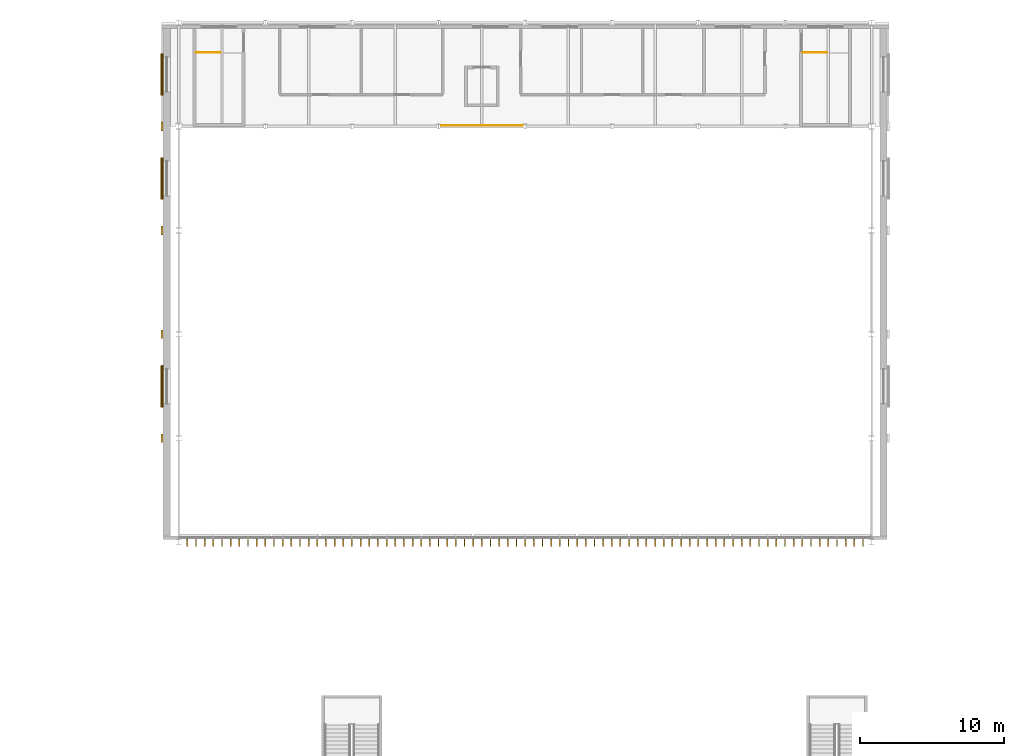
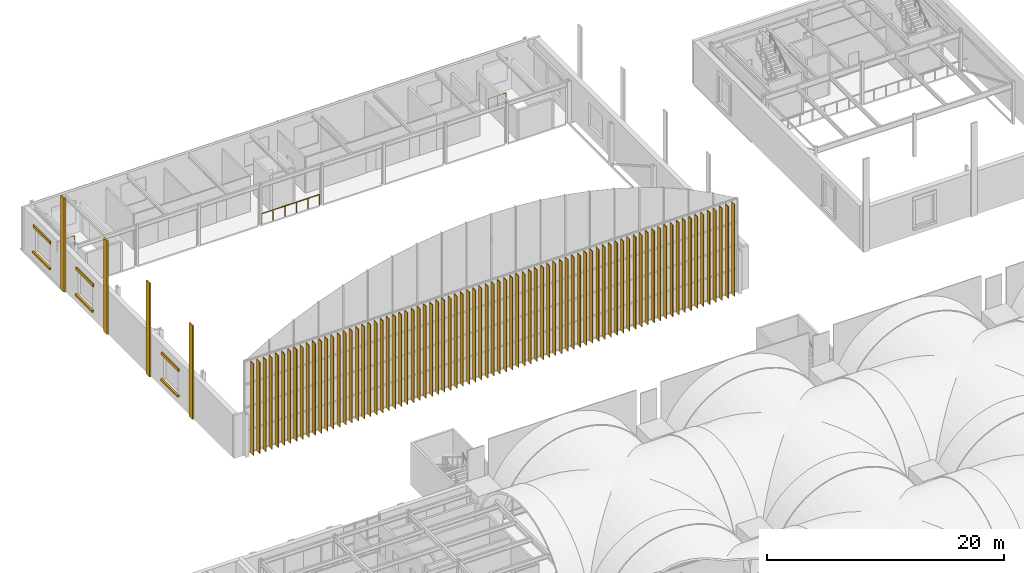
# One storey, part 161 of 169: 79 shading devices, 10 coverings, 3 railings.
"""IFC4 building model written with IfcOpenShell, lengths in metres."""

from ifc_helpers import new_model, si_unit, direction, frame, origin, origin_2d, place, context, subcontext, project, spatial, polyline, rectangle, circle, outline, extrude, material, layer, layer_set, type_object, element, save


model = new_model("IFC4")

# Units and contexts
model_context = context("Model", 3, precision=1e-05, world=origin(), true_north=direction((0.0, 1.0)))
body_context = subcontext(model_context, "Body", "Model", "MODEL_VIEW")
ifc_project = project(units=[si_unit("LENGTHUNIT", "METRE"), si_unit("AREAUNIT", "SQUARE_METRE"), si_unit("VOLUMEUNIT", "CUBIC_METRE"), si_unit("PLANEANGLEUNIT", "RADIAN"), si_unit("MASSUNIT", "GRAM", prefix="KILO")], contexts=[model_context])

# Site, building, storey
site_placement = place(None, origin())
site = spatial("IfcSite", under=ifc_project, at=site_placement, CompositionType="ELEMENT")
building_placement = place(site_placement, origin())
building = spatial("IfcBuilding", under=site, at=building_placement, Name="Verrick Yard Athletic Hall", CompositionType="ELEMENT")
storey_placement = place(building_placement, frame((0.0, 0.0, 4.39990234375)))
storey = spatial("IfcBuildingStorey", under=building, at=storey_placement, Name="L01", CompositionType="ELEMENT", Elevation=4.39990234375)

# Railing
ifc_material_1 = material(Name="Stainless steel 316", Category="steel")
railing_type_1 = type_object("IfcRailingType", Name="HB seating guard 1100", PredefinedType="GUARDRAIL", material=ifc_material_1)
railing_placement = place(storey_placement, frame((46.199951171875, 100.860107421875, 0.0)))
element("IfcRailing", 1, at=railing_placement, inside=storey, type_object=railing_type_1, Name="HB-GD-B-LOBBY", PredefinedType="GUARDRAIL", context=body_context, shape_type="SweptSolid", body=[
    extrude(circle(Radius=0.02392578125, at=origin_2d()), frame((0.0, 0.0, 1.076171875), z_axis=(1.0, 0.0, 0.0), x_axis=(0.0, 1.0, 0.0)), (0.0, 0.0, 1.0), 5.60009765625),
    extrude(circle(Radius=0.02099609375, at=origin_2d()), origin(), (0.0, 0.0, 1.0), 1.052001953125),
    extrude(circle(Radius=0.02099609375, at=origin_2d()), frame((1.1201171875, 0.0, 0.0)), (0.0, 0.0, 1.0), 1.052001953125),
    extrude(circle(Radius=0.02099609375, at=origin_2d()), frame((2.239990234375, 0.0, 0.0)), (0.0, 0.0, 1.0), 1.052001953125),
    extrude(circle(Radius=0.02099609375, at=origin_2d()), frame((3.360107421875, 0.0, 0.0)), (0.0, 0.0, 1.0), 1.052001953125),
    extrude(circle(Radius=0.02099609375, at=origin_2d()), frame((4.47998046875, 0.0, 0.0)), (0.0, 0.0, 1.0), 1.052001953125),
    extrude(circle(Radius=0.02099609375, at=origin_2d()), frame((5.60009765625, 0.0, 0.0)), (0.0, 0.0, 1.0), 1.052001953125),
])

# Shading devices
ifc_material_2 = material(Name="Anodised aluminium", Category="aluminium")
ifc_layer_1 = layer(ifc_material_2, 0.0625)
ifc_layer_set_1 = layer_set([ifc_layer_1], Name="Hall facade fin")
shading_device_type = type_object("IfcShadingDeviceType", Name="Hall facade fin", PredefinedType="USERDEFINED", material=ifc_layer_set_1)
for number, where, z_axis, x_axis, name in (
    (2, (28.60009765625, 71.71826171875, 0.0), (0.0, 0.0, 1.0), (0.0, 1.0, 0.0), "ENVB-HBS-FIN00"),
    (3, (29.199951171875, 71.71826171875, 0.0), (0.0, 0.0, 1.0), (0.0, 1.0, 0.0), "ENVB-HBS-FIN01"),
    (4, (29.800048828125, 71.71826171875, 0.0), (0.0, 0.0, 1.0), (0.0, 1.0, 0.0), "ENVB-HBS-FIN02"),
    (5, (30.39990234375, 71.71826171875, 0.0), (0.0, 0.0, 1.0), (0.0, 1.0, 0.0), "ENVB-HBS-FIN03"),
    (6, (31.0, 71.71826171875, 0.0), (0.0, 0.0, 1.0), (0.0, 1.0, 0.0), "ENVB-HBS-FIN04"),
    (7, (31.60009765625, 71.71826171875, 0.0), (0.0, 0.0, 1.0), (0.0, 1.0, 0.0), "ENVB-HBS-FIN05"),
    (8, (32.199951171875, 71.71826171875, 0.0), (0.0, 0.0, 1.0), (0.0, 1.0, 0.0), "ENVB-HBS-FIN06"),
    (9, (32.800048828125, 71.71826171875, 0.0), (0.0, 0.0, 1.0), (0.0, 1.0, 0.0), "ENVB-HBS-FIN07"),
    (10, (33.39990234375, 71.71826171875, 0.0), (0.0, 0.0, 1.0), (0.0, 1.0, 0.0), "ENVB-HBS-FIN08"),
    (11, (34.0, 71.71826171875, 0.0), (0.0, 0.0, 1.0), (0.0, 1.0, 0.0), "ENVB-HBS-FIN09"),
    (12, (34.60009765625, 71.71826171875, 0.0), (0.0, 0.0, 1.0), (0.0, 1.0, 0.0), "ENVB-HBS-FIN10"),
    (13, (35.199951171875, 71.71826171875, 0.0), (0.0, 0.0, 1.0), (0.0, 1.0, 0.0), "ENVB-HBS-FIN11"),
    (14, (35.800048828125, 71.71826171875, 0.0), (0.0, 0.0, 1.0), (0.0, 1.0, 0.0), "ENVB-HBS-FIN12"),
    (15, (36.39990234375, 71.71826171875, 0.0), (0.0, 0.0, 1.0), (0.0, 1.0, 0.0), "ENVB-HBS-FIN13"),
    (16, (37.0, 71.71826171875, 0.0), (0.0, 0.0, 1.0), (0.0, 1.0, 0.0), "ENVB-HBS-FIN14"),
    (17, (37.60009765625, 71.71826171875, 0.0), (0.0, 0.0, 1.0), (0.0, 1.0, 0.0), "ENVB-HBS-FIN15"),
    (18, (38.199951171875, 71.71826171875, 0.0), (0.0, 0.0, 1.0), (0.0, 1.0, 0.0), "ENVB-HBS-FIN16"),
    (19, (38.800048828125, 71.71826171875, 0.0), (0.0, 0.0, 1.0), (0.0, 1.0, 0.0), "ENVB-HBS-FIN17"),
    (20, (39.39990234375, 71.71826171875, 0.0), (0.0, 0.0, 1.0), (0.0, 1.0, 0.0), "ENVB-HBS-FIN18"),
    (21, (40.0, 71.71826171875, 0.0), (0.0, 0.0, 1.0), (0.0, 1.0, 0.0), "ENVB-HBS-FIN19"),
    (22, (40.60009765625, 71.71826171875, 0.0), (0.0, 0.0, 1.0), (0.0, 1.0, 0.0), "ENVB-HBS-FIN20"),
    (23, (41.199951171875, 71.71826171875, 0.0), (0.0, 0.0, 1.0), (0.0, 1.0, 0.0), "ENVB-HBS-FIN21"),
    (24, (41.800048828125, 71.71826171875, 0.0), (0.0, 0.0, 1.0), (0.0, 1.0, 0.0), "ENVB-HBS-FIN22"),
    (25, (42.39990234375, 71.71826171875, 0.0), (0.0, 0.0, 1.0), (0.0, 1.0, 0.0), "ENVB-HBS-FIN23"),
    (26, (43.0, 71.71826171875, 0.0), (0.0, 0.0, 1.0), (0.0, 1.0, 0.0), "ENVB-HBS-FIN24"),
    (27, (43.60009765625, 71.71826171875, 0.0), (0.0, 0.0, 1.0), (0.0, 1.0, 0.0), "ENVB-HBS-FIN25"),
    (28, (44.199951171875, 71.71826171875, 0.0), (0.0, 0.0, 1.0), (0.0, 1.0, 0.0), "ENVB-HBS-FIN26"),
    (29, (44.800048828125, 71.71826171875, 0.0), (0.0, 0.0, 1.0), (0.0, 1.0, 0.0), "ENVB-HBS-FIN27"),
    (30, (45.39990234375, 71.71826171875, 0.0), (0.0, 0.0, 1.0), (0.0, 1.0, 0.0), "ENVB-HBS-FIN28"),
    (31, (46.0, 71.71826171875, 0.0), (0.0, 0.0, 1.0), (0.0, 1.0, 0.0), "ENVB-HBS-FIN29"),
    (32, (46.60009765625, 71.71826171875, 0.0), (0.0, 0.0, 1.0), (0.0, 1.0, 0.0), "ENVB-HBS-FIN30"),
    (33, (47.199951171875, 71.71826171875, 0.0), (0.0, 0.0, 1.0), (0.0, 1.0, 0.0), "ENVB-HBS-FIN31"),
    (34, (47.800048828125, 71.71826171875, 0.0), (0.0, 0.0, 1.0), (0.0, 1.0, 0.0), "ENVB-HBS-FIN32"),
    (35, (48.39990234375, 71.71826171875, 0.0), (0.0, 0.0, 1.0), (0.0, 1.0, 0.0), "ENVB-HBS-FIN33"),
    (36, (49.0, 71.71826171875, 0.0), (0.0, 0.0, 1.0), (0.0, 1.0, 0.0), "ENVB-HBS-FIN34"),
    (37, (49.60009765625, 71.71826171875, 0.0), (0.0, 0.0, 1.0), (0.0, 1.0, 0.0), "ENVB-HBS-FIN35"),
    (38, (50.199951171875, 71.71826171875, 0.0), (0.0, 0.0, 1.0), (0.0, 1.0, 0.0), "ENVB-HBS-FIN36"),
    (39, (50.800048828125, 71.71826171875, 0.0), (0.0, 0.0, 1.0), (0.0, 1.0, 0.0), "ENVB-HBS-FIN37"),
    (40, (51.39990234375, 71.71826171875, 0.0), (0.0, 0.0, 1.0), (0.0, 1.0, 0.0), "ENVB-HBS-FIN38"),
    (41, (52.0, 71.71826171875, 0.0), (0.0, 0.0, 1.0), (0.0, 1.0, 0.0), "ENVB-HBS-FIN39"),
    (42, (52.60009765625, 71.71826171875, 0.0), (0.0, 0.0, 1.0), (0.0, 1.0, 0.0), "ENVB-HBS-FIN40"),
    (43, (53.199951171875, 71.71826171875, 0.0), (0.0, 0.0, 1.0), (0.0, 1.0, 0.0), "ENVB-HBS-FIN41"),
    (44, (53.800048828125, 71.71826171875, 0.0), (0.0, 0.0, 1.0), (0.0, 1.0, 0.0), "ENVB-HBS-FIN42"),
    (45, (54.39990234375, 71.71826171875, 0.0), (0.0, 0.0, 1.0), (0.0, 1.0, 0.0), "ENVB-HBS-FIN43"),
    (46, (55.0, 71.71826171875, 0.0), (0.0, 0.0, 1.0), (0.0, 1.0, 0.0), "ENVB-HBS-FIN44"),
    (47, (55.60009765625, 71.71826171875, 0.0), (0.0, 0.0, 1.0), (0.0, 1.0, 0.0), "ENVB-HBS-FIN45"),
    (48, (56.199951171875, 71.71826171875, 0.0), (0.0, 0.0, 1.0), (0.0, 1.0, 0.0), "ENVB-HBS-FIN46"),
    (49, (56.800048828125, 71.71826171875, 0.0), (0.0, 0.0, 1.0), (0.0, 1.0, 0.0), "ENVB-HBS-FIN47"),
    (50, (57.39990234375, 71.71826171875, 0.0), (0.0, 0.0, 1.0), (0.0, 1.0, 0.0), "ENVB-HBS-FIN48"),
    (51, (58.0, 71.71826171875, 0.0), (0.0, 0.0, 1.0), (0.0, 1.0, 0.0), "ENVB-HBS-FIN49"),
    (52, (58.60009765625, 71.71826171875, 0.0), (0.0, 0.0, 1.0), (0.0, 1.0, 0.0), "ENVB-HBS-FIN50"),
    (53, (59.199951171875, 71.71826171875, 0.0), (0.0, 0.0, 1.0), (0.0, 1.0, 0.0), "ENVB-HBS-FIN51"),
    (54, (59.800048828125, 71.71826171875, 0.0), (0.0, 0.0, 1.0), (0.0, 1.0, 0.0), "ENVB-HBS-FIN52"),
    (55, (60.39990234375, 71.71826171875, 0.0), (0.0, 0.0, 1.0), (0.0, 1.0, 0.0), "ENVB-HBS-FIN53"),
    (56, (61.0, 71.71826171875, 0.0), (0.0, 0.0, 1.0), (0.0, 1.0, 0.0), "ENVB-HBS-FIN54"),
    (57, (61.60009765625, 71.71826171875, 0.0), (0.0, 0.0, 1.0), (0.0, 1.0, 0.0), "ENVB-HBS-FIN55"),
    (58, (62.199951171875, 71.71826171875, 0.0), (0.0, 0.0, 1.0), (0.0, 1.0, 0.0), "ENVB-HBS-FIN56"),
    (59, (62.800048828125, 71.71826171875, 0.0), (0.0, 0.0, 1.0), (0.0, 1.0, 0.0), "ENVB-HBS-FIN57"),
    (60, (63.39990234375, 71.71826171875, 0.0), (0.0, 0.0, 1.0), (0.0, 1.0, 0.0), "ENVB-HBS-FIN58"),
    (61, (64.0, 71.71826171875, 0.0), (0.0, 0.0, 1.0), (0.0, 1.0, 0.0), "ENVB-HBS-FIN59"),
    (62, (64.60009765625, 71.71826171875, 0.0), (0.0, 0.0, 1.0), (0.0, 1.0, 0.0), "ENVB-HBS-FIN60"),
    (63, (65.199951171875, 71.71826171875, 0.0), (0.0, 0.0, 1.0), (0.0, 1.0, 0.0), "ENVB-HBS-FIN61"),
    (64, (65.800048828125, 71.71826171875, 0.0), (0.0, 0.0, 1.0), (0.0, 1.0, 0.0), "ENVB-HBS-FIN62"),
    (65, (66.39990234375, 71.71826171875, 0.0), (0.0, 0.0, 1.0), (0.0, 1.0, 0.0), "ENVB-HBS-FIN63"),
    (66, (67.0, 71.71826171875, 0.0), (0.0, 0.0, 1.0), (0.0, 1.0, 0.0), "ENVB-HBS-FIN64"),
    (67, (67.60009765625, 71.71826171875, 0.0), (0.0, 0.0, 1.0), (0.0, 1.0, 0.0), "ENVB-HBS-FIN65"),
    (68, (68.199951171875, 71.71826171875, 0.0), (0.0, 0.0, 1.0), (0.0, 1.0, 0.0), "ENVB-HBS-FIN66"),
    (69, (68.800048828125, 71.71826171875, 0.0), (0.0, 0.0, 1.0), (0.0, 1.0, 0.0), "ENVB-HBS-FIN67"),
    (70, (69.39990234375, 71.71826171875, 0.0), (0.0, 0.0, 1.0), (0.0, 1.0, 0.0), "ENVB-HBS-FIN68"),
    (71, (70.0, 71.71826171875, 0.0), (0.0, 0.0, 1.0), (0.0, 1.0, 0.0), "ENVB-HBS-FIN69"),
    (72, (70.60009765625, 71.71826171875, 0.0), (0.0, 0.0, 1.0), (0.0, 1.0, 0.0), "ENVB-HBS-FIN70"),
    (73, (71.199951171875, 71.71826171875, 0.0), (0.0, 0.0, 1.0), (0.0, 1.0, 0.0), "ENVB-HBS-FIN71"),
    (74, (71.800048828125, 71.71826171875, 0.0), (0.0, 0.0, 1.0), (0.0, 1.0, 0.0), "ENVB-HBS-FIN72"),
    (75, (72.39990234375, 71.71826171875, 0.0), (0.0, 0.0, 1.0), (0.0, 1.0, 0.0), "ENVB-HBS-FIN73"),
    (76, (73.0, 71.71826171875, 0.0), (0.0, 0.0, 1.0), (0.0, 1.0, 0.0), "ENVB-HBS-FIN74"),
    (77, (73.60009765625, 71.71826171875, 0.0), (0.0, 0.0, 1.0), (0.0, 1.0, 0.0), "ENVB-HBS-FIN75"),
    (78, (74.199951171875, 71.71826171875, 0.0), (0.0, 0.0, 1.0), (0.0, 1.0, 0.0), "ENVB-HBS-FIN76"),
    (79, (74.800048828125, 71.71826171875, 0.0), (0.0, 0.0, 1.0), (0.0, 1.0, 0.0), "ENVB-HBS-FIN77"),
    (80, (75.39990234375, 71.71826171875, 0.0), (0.0, 0.0, 1.0), (0.0, 1.0, 0.0), "ENVB-HBS-FIN78"),
):
    element("IfcShadingDevice", number, at=place(storey_placement, frame(where, z_axis=z_axis, x_axis=x_axis)), inside=storey, type_object=shading_device_type, Name=name, ObjectType="FIN", PredefinedType="USERDEFINED", context=body_context, shape_type="SweptSolid", body=[
        extrude(outline(polyline([(0.0, 0.0), (0.5, 0.0), (0.5, 9.4501953125), (0.0, 9.4501953125), (0.0, 0.0)])), frame((0.0, 0.03125, 0.0), z_axis=(0.0, -1.0, 0.0), x_axis=(1.0, 0.0, 0.0)), (0.0, 0.0, 1.0), 0.0625),
    ])

# Railings
ifc_material_3 = material(Name="Stainless steel", Category="steel")
railing_type_2 = type_object("IfcRailingType", Name="Stair and core guard 1100", PredefinedType="GUARDRAIL", material=ifc_material_3)
for number, where, name in (
    (81, (71.199951171875, 105.925048828125, 0.0), "L01 Sports Hall B east band top well guard 1"),
    (82, (29.199951171875, 105.925048828125, 0.0), "L01 Sports Hall B west band top well guard 1"),
):
    element("IfcRailing", number, at=place(storey_placement, frame(where)), inside=storey, type_object=railing_type_2, Name=name, PredefinedType="GUARDRAIL", context=body_context, shape_type="SweptSolid", body=[
        extrude(circle(Radius=0.02392578125, at=origin_2d()), frame((0.0, 0.0, 1.076171875), z_axis=(1.0, 0.0, 0.0), x_axis=(0.0, 1.0, 0.0)), (0.0, 0.0, 1.0), 1.699951171875),
        extrude(circle(Radius=0.02099609375, at=origin_2d()), origin(), (0.0, 0.0, 1.0), 1.052001953125),
        extrude(circle(Radius=0.02099609375, at=origin_2d()), frame((0.85009765625, 0.0, 0.0)), (0.0, 0.0, 1.0), 1.052001953125),
        extrude(circle(Radius=0.02099609375, at=origin_2d()), frame((1.699951171875, 0.0, 0.0)), (0.0, 0.0, 1.0), 1.052001953125),
    ])

# Coverings
ifc_material_4 = material(Name="Tyndall-stone-look precast cladding", Category="masonry")
ifc_layer_2 = layer(ifc_material_4, 0.125)
ifc_layer_set_2 = layer_set([ifc_layer_2], Name="Stone cladding")
covering_type_1 = type_object("IfcCoveringType", Name="Stone cladding", PredefinedType="CLADDING", material=ifc_layer_set_2)
for number, where, z_axis, x_axis, name in (
    (83, (26.85009765625, 79.199951171875, 0.0), (0.0, 0.0, 1.0), (1.0, 0.0, 0.0), "ENVB-HB-W-PIL1"),
    (84, (26.85009765625, 86.39990234375, 0.0), (0.0, 0.0, 1.0), (1.0, 0.0, 0.0), "ENVB-HB-W-PIL2"),
    (85, (26.85009765625, 93.60009765625, 0.0), (0.0, 0.0, 1.0), (1.0, 0.0, 0.0), "ENVB-HB-W-PIL3"),
    (86, (26.85009765625, 100.800048828125, 0.0), (0.0, 0.0, 1.0), (1.0, 0.0, 0.0), "ENVB-HB-W-PIL4"),
):
    element("IfcCovering", number, at=place(storey_placement, frame(where, z_axis=z_axis, x_axis=x_axis)), inside=storey, type_object=covering_type_1, Name=name, PredefinedType="CLADDING", context=body_context, shape_type="SweptSolid", body=[
        extrude(rectangle(XDim=0.14990234375, YDim=0.60009765625, at=origin_2d()), origin(), (0.0, 0.0, 1.0), 9.60009765625),
    ])
ifc_layer_3 = layer(ifc_material_4, 0.25)
ifc_layer_set_3 = layer_set([ifc_layer_3], Name="Stone moulding")
covering_type_2 = type_object("IfcCoveringType", Name="Stone moulding", PredefinedType="MOLDING", material=ifc_layer_set_3)
covering_1_placement = place(storey_placement, frame((26.8349609375, 82.80078125, 0.80029296875), z_axis=(0.0, 0.0, 1.0), x_axis=(0.0, 1.0, 0.0)))
element("IfcCovering", 87, at=covering_1_placement, inside=storey, type_object=covering_type_2, Name="Window sill", PredefinedType="MOLDING", context=body_context, shape_type="SweptSolid", body=[
    extrude(rectangle(XDim=2.89990234375, YDim=0.179931640625, at=origin_2d()), origin(), (0.0, 0.0, 1.0), 0.199951171875),
])
covering_2_placement = place(storey_placement, frame((26.875, 82.80078125, 3.39990234375), z_axis=(0.0, 0.0, 1.0), x_axis=(0.0, 1.0, 0.0)))
element("IfcCovering", 88, at=covering_2_placement, inside=storey, type_object=covering_type_2, Name="Window head", PredefinedType="MOLDING", context=body_context, shape_type="SweptSolid", body=[
    extrude(rectangle(XDim=2.89990234375, YDim=0.10009765625, at=origin_2d()), origin(), (0.0, 0.0, 1.0), 0.300048828125),
])
covering_3_placement = place(storey_placement, frame((26.8349609375, 97.200927734375, 0.80029296875), z_axis=(0.0, 0.0, 1.0), x_axis=(0.0, 1.0, 0.0)))
element("IfcCovering", 89, at=covering_3_placement, inside=storey, type_object=covering_type_2, Name="Window sill", PredefinedType="MOLDING", context=body_context, shape_type="SweptSolid", body=[
    extrude(rectangle(XDim=2.89990234375, YDim=0.179931640625, at=origin_2d()), origin(), (0.0, 0.0, 1.0), 0.199951171875),
])
covering_4_placement = place(storey_placement, frame((26.875, 97.200927734375, 3.39990234375), z_axis=(0.0, 0.0, 1.0), x_axis=(0.0, 1.0, 0.0)))
element("IfcCovering", 90, at=covering_4_placement, inside=storey, type_object=covering_type_2, Name="Window head", PredefinedType="MOLDING", context=body_context, shape_type="SweptSolid", body=[
    extrude(rectangle(XDim=2.89990234375, YDim=0.10009765625, at=origin_2d()), origin(), (0.0, 0.0, 1.0), 0.300048828125),
])
covering_5_placement = place(storey_placement, frame((26.8349609375, 104.40087890625, 0.80029296875), z_axis=(0.0, 0.0, 1.0), x_axis=(0.0, 1.0, 0.0)))
element("IfcCovering", 91, at=covering_5_placement, inside=storey, type_object=covering_type_2, Name="Window sill", PredefinedType="MOLDING", context=body_context, shape_type="SweptSolid", body=[
    extrude(rectangle(XDim=2.89990234375, YDim=0.179931640625, at=origin_2d()), origin(), (0.0, 0.0, 1.0), 0.199951171875),
])
covering_6_placement = place(storey_placement, frame((26.875, 104.40087890625, 3.39990234375), z_axis=(0.0, 0.0, 1.0), x_axis=(0.0, 1.0, 0.0)))
element("IfcCovering", 92, at=covering_6_placement, inside=storey, type_object=covering_type_2, Name="Window head", PredefinedType="MOLDING", context=body_context, shape_type="SweptSolid", body=[
    extrude(rectangle(XDim=2.89990234375, YDim=0.10009765625, at=origin_2d()), origin(), (0.0, 0.0, 1.0), 0.300048828125),
])

save(model, "model.ifc")
